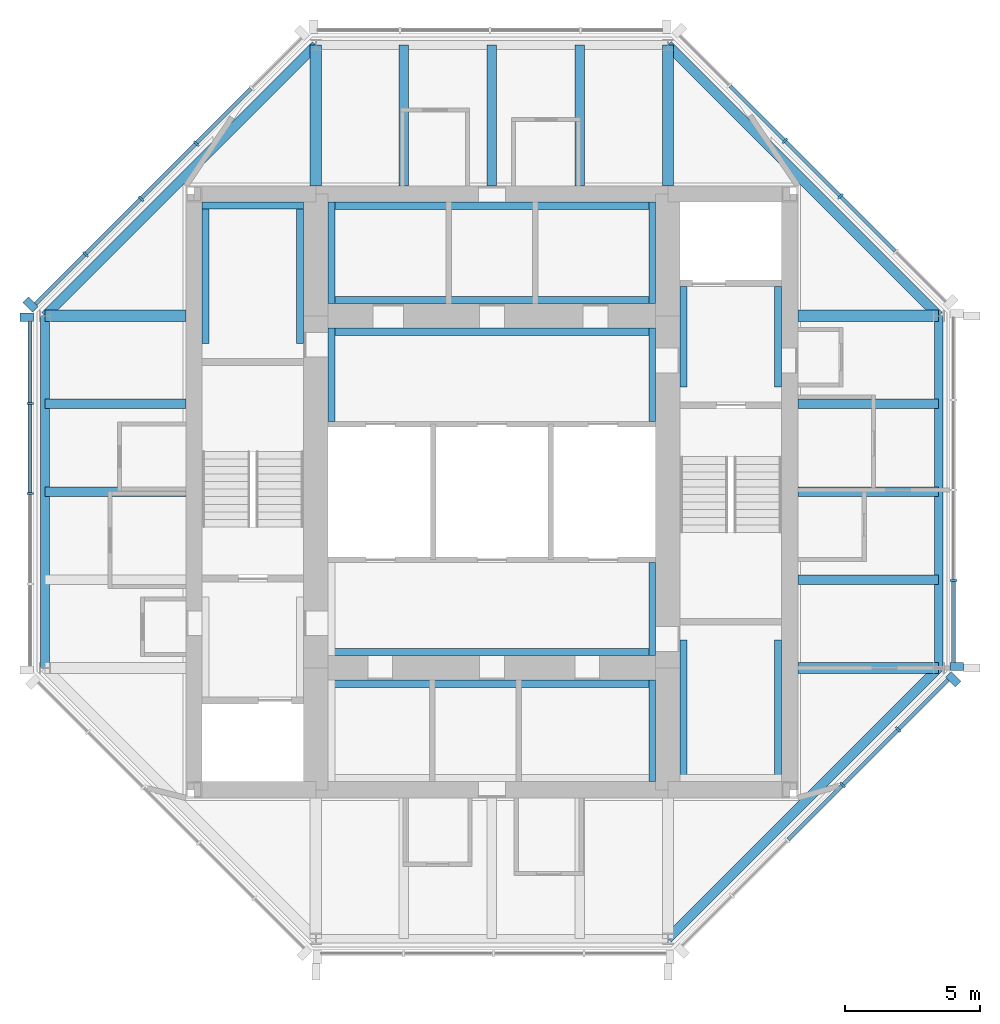
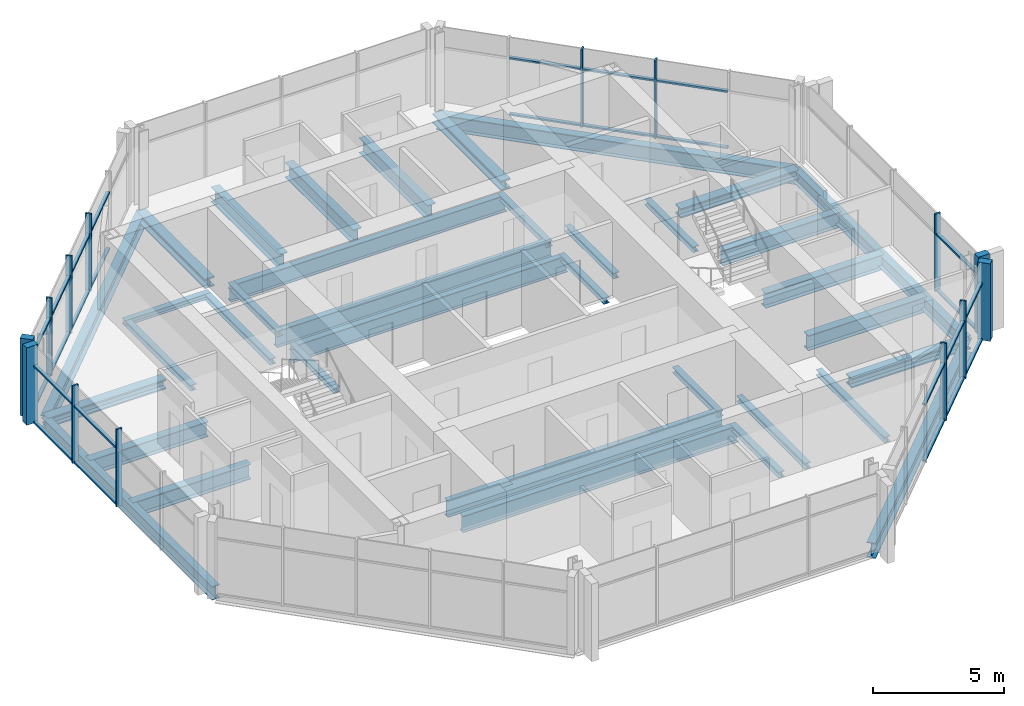
# One storey, part 2 of 8: 40 members, 36 beams, 5 elements without a shape of their own.
"""IFC4 building model written with IfcOpenShell, lengths in metres."""

from ifc_helpers import new_model, si_unit, direction, frame, origin, origin_2d, place, context, subcontext, project, spatial, rectangle, i_section, extrude, material, material_profile, profile_set, type_object, element, aggregate, save


model = new_model("IFC4")

# Units and contexts
model_context = context("Model", 3, precision=1e-05, world=origin(), true_north=direction((0.0, 1.0)))
body_context = subcontext(model_context, "Body", "Model", "MODEL_VIEW")
ifc_project = project(units=[si_unit("LENGTHUNIT", "METRE"), si_unit("AREAUNIT", "SQUARE_METRE"), si_unit("VOLUMEUNIT", "CUBIC_METRE"), si_unit("PLANEANGLEUNIT", "RADIAN"), si_unit("MASSUNIT", "GRAM", prefix="KILO")], contexts=[model_context])

# Site, building, storey
site_placement = place(None, origin())
site = spatial("IfcSite", under=ifc_project, at=site_placement, CompositionType="ELEMENT")
building_placement = place(site_placement, origin())
building = spatial("IfcBuilding", under=site, at=building_placement, Name="Trevanion Tower", CompositionType="ELEMENT")
storey_placement = place(building_placement, frame((0.0, 0.0, 274.0)))
storey = spatial("IfcBuildingStorey", under=building, at=storey_placement, Name="L67", CompositionType="ELEMENT", Elevation=274.0)

# Beams
ifc_material_1 = material(Name="Steel ASTM A992 Grade 50", Category="steel")
ifc_material_profile_1 = material_profile(ifc_material_1, i_section(OverallWidth=0.355712890625, OverallDepth=0.700927734375, WebThickness=0.016845703125, FlangeThickness=0.02734375, at=origin_2d()), Name="W27X161")
ifc_profile_set_1 = profile_set([ifc_material_profile_1], Name="Steel ASTM A992 Grade 50")
beam_type_1 = type_object("IfcBeamType", Name="B15 W27X161", PredefinedType="BEAM", material=ifc_profile_set_1)
for number, where, z_axis, x_axis, name in (
    (1, (11.300048828125, -3.25, -0.54052734375), (1.0, 0.0, 0.0), (0.0, 1.0, 0.0), "B15 L67"),
    (2, (11.300048828125, 0.0, -0.54052734375), (1.0, 0.0, 0.0), (0.0, 1.0, 0.0), "B15 L67"),
    (3, (11.300048828125, 3.25, -0.54052734375), (1.0, 0.0, 0.0), (0.0, 1.0, 0.0), "B15 L67"),
    (4, (3.25, 11.300048828125, -0.54052734375), (0.0, 1.0, 0.0), (-1.0, 0.0, 0.0), "B15 L67"),
    (5, (0.0, 11.300048828125, -0.54052734375), (0.0, 1.0, 0.0), (-1.0, 0.0, 0.0), "B15 L67"),
    (6, (-3.25, 11.300048828125, -0.54052734375), (0.0, 1.0, 0.0), (-1.0, 0.0, 0.0), "B15 L67"),
    (7, (-11.300048828125, 3.25, -0.54052734375), (-1.0, 0.0, 0.0), (0.0, -1.0, 0.0), "B15 L67"),
    (8, (-11.300048828125, 0.0, -0.54052734375), (-1.0, 0.0, 0.0), (0.0, -1.0, 0.0), "B15 L67"),
):
    element("IfcBeam", number, at=place(storey_placement, frame(where, z_axis=z_axis, x_axis=x_axis)), inside=storey, type_object=beam_type_1, Name=name, PredefinedType="BEAM", context=body_context, shape_type="SweptSolid", body=[
        extrude(i_section(OverallWidth=0.355712890625, OverallDepth=0.700927734375, WebThickness=0.016845703125, FlangeThickness=0.02734375, at=origin_2d()), origin(), (0.0, 0.0, 1.0), 5.199951171875),
    ])

# Curtain wall, member
ifc_material_2 = material(Name="Aluminium and glass", Category="aluminium")
curtain_wall_type = type_object("IfcCurtainWallType", Name="CW4 curtain wall", PredefinedType="USERDEFINED", material=ifc_material_2)
curtain_wall_1_placement = place(storey_placement, origin())
curtain_wall_1 = element("IfcCurtainWall", 9, at=curtain_wall_1_placement, inside=storey, type_object=curtain_wall_type, Name="CW4 L67 0", ObjectType="UNITISED CURTAIN WALL", PredefinedType="USERDEFINED")
ifc_material_3 = material(Name="Aluminium extrusion, anodised bronze", Category="aluminium")
ifc_material_profile_2 = material_profile(ifc_material_3, rectangle(XDim=0.074951171875, YDim=0.25, at=origin_2d()), Name="CW4 mullion")
ifc_profile_set_2 = profile_set([ifc_material_profile_2], Name="Aluminium extrusion, anodised bronze")
member_type_1 = type_object("IfcMemberType", Name="CW4 mullion", PredefinedType="MULLION", material=ifc_profile_set_2)
member_1_placement = place(storey_placement, frame((17.050048828125, -3.266357421875, -0.18994140625), z_axis=(0.0, 0.0, 1.0), x_axis=(0.0, 1.0, 0.0)))
member_1 = element("IfcMember", 10, at=member_1_placement, type_object=member_type_1, Name="CW4 mullion 2", PredefinedType="MULLION", context=body_context, shape_type="SweptSolid", body=[
    extrude(rectangle(XDim=0.074951171875, YDim=0.25, at=origin_2d()), origin(), (0.0, 0.0, 1.0), 3.599853515625),
])

# Curtain wall, members
curtain_wall_2_placement = place(storey_placement, origin())
curtain_wall_2 = element("IfcCurtainWall", 11, at=curtain_wall_2_placement, inside=storey, type_object=curtain_wall_type, Name="CW4 L67 1", ObjectType="UNITISED CURTAIN WALL", PredefinedType="USERDEFINED")
member_2_placement = place(storey_placement, frame((12.865966796875, 10.911865234375, -0.18994140625), z_axis=(0.0, 0.0, 1.0), x_axis=(-0.707106781187, 0.707106781187, 0.0)))
member_2 = element("IfcMember", 12, at=member_2_placement, type_object=member_type_1, Name="CW4 mullion 3", PredefinedType="MULLION", context=body_context, shape_type="SweptSolid", body=[
    extrude(rectangle(XDim=0.074951171875, YDim=0.25, at=origin_2d()), origin(), (0.0, 0.0, 1.0), 3.599853515625),
])
member_3_placement = place(storey_placement, frame((10.81982421875, 12.9580078125, -0.18994140625), z_axis=(0.0, 0.0, 1.0), x_axis=(-0.707106781187, 0.707106781187, 0.0)))
member_3 = element("IfcMember", 13, at=member_3_placement, type_object=member_type_1, Name="CW4 mullion 4", PredefinedType="MULLION", context=body_context, shape_type="SweptSolid", body=[
    extrude(rectangle(XDim=0.074951171875, YDim=0.25, at=origin_2d()), origin(), (0.0, 0.0, 1.0), 3.599853515625),
])

curtain_wall_3_placement = place(storey_placement, origin())
curtain_wall_3 = element("IfcCurtainWall", 14, at=curtain_wall_3_placement, inside=storey, type_object=curtain_wall_type, Name="CW4 L67 3", ObjectType="UNITISED CURTAIN WALL", PredefinedType="USERDEFINED")
member_4_placement = place(storey_placement, frame((-10.911865234375, 12.865966796875, -0.18994140625), z_axis=(0.0, 0.0, 1.0), x_axis=(-0.707106781187, -0.707106781187, 0.0)))
member_4 = element("IfcMember", 15, at=member_4_placement, type_object=member_type_1, Name="CW4 mullion 3", PredefinedType="MULLION", context=body_context, shape_type="SweptSolid", body=[
    extrude(rectangle(XDim=0.074951171875, YDim=0.25, at=origin_2d()), origin(), (0.0, 0.0, 1.0), 3.599853515625),
])
member_5_placement = place(storey_placement, frame((-12.9580078125, 10.81982421875, -0.18994140625), z_axis=(0.0, 0.0, 1.0), x_axis=(-0.707106781187, -0.707106781187, 0.0)))
member_5 = element("IfcMember", 16, at=member_5_placement, type_object=member_type_1, Name="CW4 mullion 4", PredefinedType="MULLION", context=body_context, shape_type="SweptSolid", body=[
    extrude(rectangle(XDim=0.074951171875, YDim=0.25, at=origin_2d()), origin(), (0.0, 0.0, 1.0), 3.599853515625),
])
member_6_placement = place(storey_placement, frame((-15.00390625, 8.77392578125, -0.18994140625), z_axis=(0.0, 0.0, 1.0), x_axis=(-0.707106781187, -0.707106781187, 0.0)))
member_6 = element("IfcMember", 17, at=member_6_placement, type_object=member_type_1, Name="CW4 mullion 5", PredefinedType="MULLION", context=body_context, shape_type="SweptSolid", body=[
    extrude(rectangle(XDim=0.074951171875, YDim=0.25, at=origin_2d()), origin(), (0.0, 0.0, 1.0), 3.599853515625),
])

curtain_wall_4_placement = place(storey_placement, origin())
curtain_wall_4 = element("IfcCurtainWall", 18, at=curtain_wall_4_placement, inside=storey, type_object=curtain_wall_type, Name="CW4 L67 4", ObjectType="UNITISED CURTAIN WALL", PredefinedType="USERDEFINED")
member_7_placement = place(storey_placement, frame((-17.050048828125, 3.266357421875, -0.18994140625), z_axis=(0.0, 0.0, 1.0), x_axis=(0.0, -1.0, 0.0)))
member_7 = element("IfcMember", 19, at=member_7_placement, type_object=member_type_1, Name="CW4 mullion 2", PredefinedType="MULLION", context=body_context, shape_type="SweptSolid", body=[
    extrude(rectangle(XDim=0.074951171875, YDim=0.25, at=origin_2d()), origin(), (0.0, 0.0, 1.0), 3.599853515625),
])
member_8_placement = place(storey_placement, frame((-17.050048828125, -0.06494140625, -0.18994140625), z_axis=(0.0, 0.0, 1.0), x_axis=(0.0, -1.0, 0.0)))
member_8 = element("IfcMember", 20, at=member_8_placement, type_object=member_type_1, Name="CW4 mullion 3", PredefinedType="MULLION", context=body_context, shape_type="SweptSolid", body=[
    extrude(rectangle(XDim=0.074951171875, YDim=0.25, at=origin_2d()), origin(), (0.0, 0.0, 1.0), 3.599853515625),
])

curtain_wall_5_placement = place(storey_placement, origin())
curtain_wall_5 = element("IfcCurtainWall", 21, at=curtain_wall_5_placement, inside=storey, type_object=curtain_wall_type, Name="CW4 L67 7", ObjectType="UNITISED CURTAIN WALL", PredefinedType="USERDEFINED")
member_9_placement = place(storey_placement, frame((12.9580078125, -10.81982421875, -0.18994140625), z_axis=(0.0, 0.0, 1.0), x_axis=(0.707106781187, 0.707106781187, 0.0)))
member_9 = element("IfcMember", 22, at=member_9_placement, type_object=member_type_1, Name="CW4 mullion 4", PredefinedType="MULLION", context=body_context, shape_type="SweptSolid", body=[
    extrude(rectangle(XDim=0.074951171875, YDim=0.25, at=origin_2d()), origin(), (0.0, 0.0, 1.0), 3.599853515625),
])
member_10_placement = place(storey_placement, frame((15.00390625, -8.77392578125, -0.18994140625), z_axis=(0.0, 0.0, 1.0), x_axis=(0.707106781187, 0.707106781187, 0.0)))
member_10 = element("IfcMember", 23, at=member_10_placement, type_object=member_type_1, Name="CW4 mullion 5", PredefinedType="MULLION", context=body_context, shape_type="SweptSolid", body=[
    extrude(rectangle(XDim=0.074951171875, YDim=0.25, at=origin_2d()), origin(), (0.0, 0.0, 1.0), 3.599853515625),
])

# Member
ifc_material_4 = material(Name="Aluminium extrusion, anodised bronze", Category="aluminium")
ifc_material_profile_3 = material_profile(ifc_material_4, rectangle(XDim=0.300048828125, YDim=0.5, at=origin_2d()), Name="CW4 pier mullion")
ifc_profile_set_3 = profile_set([ifc_material_profile_3], Name="Aluminium extrusion, anodised bronze")
member_type_2 = type_object("IfcMemberType", Name="CW4 pier mullion", PredefinedType="MULLION", material=ifc_profile_set_3)
member_11_placement = place(storey_placement, frame((17.175048828125, -6.44775390625, -0.18994140625), z_axis=(0.0, 0.0, 1.0), x_axis=(0.0, 1.0, 0.0)))
member_11 = element("IfcMember", 24, at=member_11_placement, type_object=member_type_2, Name="CW4 pier mullion 1", PredefinedType="MULLION", context=body_context, shape_type="SweptSolid", body=[
    extrude(rectangle(XDim=0.300048828125, YDim=0.5, at=origin_2d()), origin(), (0.0, 0.0, 1.0), 3.599853515625),
])

member_12_placement = place(storey_placement, frame((-17.0322265625, 6.92236328125, -0.18994140625), z_axis=(0.0, 0.0, 1.0), x_axis=(-0.707106781187, -0.707106781187, 0.0)))
member_12 = element("IfcMember", 25, at=member_12_placement, type_object=member_type_2, Name="CW4 pier mullion 6", PredefinedType="MULLION", context=body_context, shape_type="SweptSolid", body=[
    extrude(rectangle(XDim=0.300048828125, YDim=0.5, at=origin_2d()), origin(), (0.0, 0.0, 1.0), 3.599853515625),
])

member_13_placement = place(storey_placement, frame((-17.175048828125, 6.44775390625, -0.18994140625), z_axis=(0.0, 0.0, 1.0), x_axis=(0.0, -1.0, 0.0)))
member_13 = element("IfcMember", 26, at=member_13_placement, type_object=member_type_2, Name="CW4 pier mullion 1", PredefinedType="MULLION", context=body_context, shape_type="SweptSolid", body=[
    extrude(rectangle(XDim=0.300048828125, YDim=0.5, at=origin_2d()), origin(), (0.0, 0.0, 1.0), 3.599853515625),
])

member_14_placement = place(storey_placement, frame((17.0322265625, -6.92236328125, -0.18994140625), z_axis=(0.0, 0.0, 1.0), x_axis=(0.707106781187, 0.707106781187, 0.0)))
member_14 = element("IfcMember", 27, at=member_14_placement, type_object=member_type_2, Name="CW4 pier mullion 6", PredefinedType="MULLION", context=body_context, shape_type="SweptSolid", body=[
    extrude(rectangle(XDim=0.300048828125, YDim=0.5, at=origin_2d()), origin(), (0.0, 0.0, 1.0), 3.599853515625),
])

ifc_material_5 = material(Name="Aluminium extrusion, anodised bronze", Category="aluminium")
ifc_material_profile_4 = material_profile(ifc_material_5, rectangle(XDim=0.14990234375, YDim=0.074951171875, at=origin_2d()), Name="CW4 transom")
ifc_profile_set_4 = profile_set([ifc_material_profile_4], Name="Aluminium extrusion, anodised bronze")
member_type_3 = type_object("IfcMemberType", Name="CW4 transom", PredefinedType="USERDEFINED", material=ifc_profile_set_4)
member_15_placement = place(storey_placement, frame((17.050048828125, -6.2978515625, -0.152587890625), z_axis=(0.0, 1.0, 0.0), x_axis=(-1.0, 0.0, 0.0)))
member_15 = element("IfcMember", 28, at=member_15_placement, type_object=member_type_3, Name="CW4 transom 1.1", ObjectType="TRANSOM", PredefinedType="USERDEFINED", context=body_context, shape_type="SweptSolid", body=[
    extrude(rectangle(XDim=0.14990234375, YDim=0.074951171875, at=origin_2d()), origin(), (0.0, 0.0, 1.0), 2.993896484375),
])

member_16_placement = place(storey_placement, frame((17.050048828125, -6.2978515625, 2.4599609375), z_axis=(0.0, 1.0, 0.0), x_axis=(-1.0, 0.0, 0.0)))
member_16 = element("IfcMember", 29, at=member_16_placement, type_object=member_type_3, Name="CW4 transom 1.2", ObjectType="TRANSOM", PredefinedType="USERDEFINED", context=body_context, shape_type="SweptSolid", body=[
    extrude(rectangle(XDim=0.14990234375, YDim=0.074951171875, at=origin_2d()), origin(), (0.0, 0.0, 1.0), 2.993896484375),
])

aggregate(curtain_wall_1, [member_11, member_1, member_15, member_16])

member_17_placement = place(storey_placement, frame((14.885498046875, 8.892333984375, -0.152587890625), z_axis=(-0.707106781187, 0.707106781187, 0.0), x_axis=(-0.707106781187, -0.707106781187, 0.0)))
member_17 = element("IfcMember", 30, at=member_17_placement, type_object=member_type_3, Name="CW4 transom 2.1", ObjectType="TRANSOM", PredefinedType="USERDEFINED", context=body_context, shape_type="SweptSolid", body=[
    extrude(rectangle(XDim=0.14990234375, YDim=0.074951171875, at=origin_2d()), origin(), (0.0, 0.0, 1.0), 2.818359375),
])

member_18_placement = place(storey_placement, frame((14.885498046875, 8.892333984375, 2.4599609375), z_axis=(-0.707106781187, 0.707106781187, 0.0), x_axis=(-0.707106781187, -0.707106781187, 0.0)))
member_18 = element("IfcMember", 31, at=member_18_placement, type_object=member_type_3, Name="CW4 transom 2.2", ObjectType="TRANSOM", PredefinedType="USERDEFINED", context=body_context, shape_type="SweptSolid", body=[
    extrude(rectangle(XDim=0.14990234375, YDim=0.074951171875, at=origin_2d()), origin(), (0.0, 0.0, 1.0), 2.818359375),
])

member_19_placement = place(storey_placement, frame((12.839599609375, 10.9384765625, -0.152587890625), z_axis=(-0.707150088905, 0.707063470815, 0.0), x_axis=(-0.707063470815, -0.707150088905, 0.0)))
member_19 = element("IfcMember", 32, at=member_19_placement, type_object=member_type_3, Name="CW4 transom 3.1", ObjectType="TRANSOM", PredefinedType="USERDEFINED", context=body_context, shape_type="SweptSolid", body=[
    extrude(rectangle(XDim=0.14990234375, YDim=0.074951171875, at=origin_2d()), origin(), (0.0, 0.0, 1.0), 2.818603515625),
])

member_20_placement = place(storey_placement, frame((12.839599609375, 10.9384765625, 2.4599609375), z_axis=(-0.707150088905, 0.707063470815, 0.0), x_axis=(-0.707063470815, -0.707150088905, 0.0)))
member_20 = element("IfcMember", 33, at=member_20_placement, type_object=member_type_3, Name="CW4 transom 3.2", ObjectType="TRANSOM", PredefinedType="USERDEFINED", context=body_context, shape_type="SweptSolid", body=[
    extrude(rectangle(XDim=0.14990234375, YDim=0.074951171875, at=origin_2d()), origin(), (0.0, 0.0, 1.0), 2.818603515625),
])

member_21_placement = place(storey_placement, frame((10.79345703125, 12.984375, -0.152587890625), z_axis=(-0.707150088905, 0.707063470815, 0.0), x_axis=(-0.707063470815, -0.707150088905, 0.0)))
member_21 = element("IfcMember", 34, at=member_21_placement, type_object=member_type_3, Name="CW4 transom 4.1", ObjectType="TRANSOM", PredefinedType="USERDEFINED", context=body_context, shape_type="SweptSolid", body=[
    extrude(rectangle(XDim=0.14990234375, YDim=0.074951171875, at=origin_2d()), origin(), (0.0, 0.0, 1.0), 2.818603515625),
])

member_22_placement = place(storey_placement, frame((10.79345703125, 12.984375, 2.4599609375), z_axis=(-0.707150088905, 0.707063470815, 0.0), x_axis=(-0.707063470815, -0.707150088905, 0.0)))
member_22 = element("IfcMember", 35, at=member_22_placement, type_object=member_type_3, Name="CW4 transom 4.2", ObjectType="TRANSOM", PredefinedType="USERDEFINED", context=body_context, shape_type="SweptSolid", body=[
    extrude(rectangle(XDim=0.14990234375, YDim=0.074951171875, at=origin_2d()), origin(), (0.0, 0.0, 1.0), 2.818603515625),
])

aggregate(curtain_wall_2, [member_2, member_3, member_17, member_18, member_19, member_20, member_21, member_22])

member_23_placement = place(storey_placement, frame((-8.892333984375, 14.885498046875, -0.152587890625), z_axis=(-0.707106781187, -0.707106781187, 0.0), x_axis=(0.707106781187, -0.707106781187, 0.0)))
member_23 = element("IfcMember", 36, at=member_23_placement, type_object=member_type_3, Name="CW4 transom 2.1", ObjectType="TRANSOM", PredefinedType="USERDEFINED", context=body_context, shape_type="SweptSolid", body=[
    extrude(rectangle(XDim=0.14990234375, YDim=0.074951171875, at=origin_2d()), origin(), (0.0, 0.0, 1.0), 2.818359375),
])

member_24_placement = place(storey_placement, frame((-8.892333984375, 14.885498046875, 2.4599609375), z_axis=(-0.707106781187, -0.707106781187, 0.0), x_axis=(0.707106781187, -0.707106781187, 0.0)))
member_24 = element("IfcMember", 37, at=member_24_placement, type_object=member_type_3, Name="CW4 transom 2.2", ObjectType="TRANSOM", PredefinedType="USERDEFINED", context=body_context, shape_type="SweptSolid", body=[
    extrude(rectangle(XDim=0.14990234375, YDim=0.074951171875, at=origin_2d()), origin(), (0.0, 0.0, 1.0), 2.818359375),
])

member_25_placement = place(storey_placement, frame((-10.9384765625, 12.839599609375, -0.152587890625), z_axis=(-0.707063470815, -0.707150088905, 0.0), x_axis=(0.707150088905, -0.707063470815, 0.0)))
member_25 = element("IfcMember", 38, at=member_25_placement, type_object=member_type_3, Name="CW4 transom 3.1", ObjectType="TRANSOM", PredefinedType="USERDEFINED", context=body_context, shape_type="SweptSolid", body=[
    extrude(rectangle(XDim=0.14990234375, YDim=0.074951171875, at=origin_2d()), origin(), (0.0, 0.0, 1.0), 2.818603515625),
])

member_26_placement = place(storey_placement, frame((-10.9384765625, 12.839599609375, 2.4599609375), z_axis=(-0.707063470815, -0.707150088905, 0.0), x_axis=(0.707150088905, -0.707063470815, 0.0)))
member_26 = element("IfcMember", 39, at=member_26_placement, type_object=member_type_3, Name="CW4 transom 3.2", ObjectType="TRANSOM", PredefinedType="USERDEFINED", context=body_context, shape_type="SweptSolid", body=[
    extrude(rectangle(XDim=0.14990234375, YDim=0.074951171875, at=origin_2d()), origin(), (0.0, 0.0, 1.0), 2.818603515625),
])

member_27_placement = place(storey_placement, frame((-12.984375, 10.79345703125, -0.152587890625), z_axis=(-0.707063470815, -0.707150088905, 0.0), x_axis=(0.707150088905, -0.707063470815, 0.0)))
member_27 = element("IfcMember", 40, at=member_27_placement, type_object=member_type_3, Name="CW4 transom 4.1", ObjectType="TRANSOM", PredefinedType="USERDEFINED", context=body_context, shape_type="SweptSolid", body=[
    extrude(rectangle(XDim=0.14990234375, YDim=0.074951171875, at=origin_2d()), origin(), (0.0, 0.0, 1.0), 2.818603515625),
])

member_28_placement = place(storey_placement, frame((-12.984375, 10.79345703125, 2.4599609375), z_axis=(-0.707063470815, -0.707150088905, 0.0), x_axis=(0.707150088905, -0.707063470815, 0.0)))
member_28 = element("IfcMember", 41, at=member_28_placement, type_object=member_type_3, Name="CW4 transom 4.2", ObjectType="TRANSOM", PredefinedType="USERDEFINED", context=body_context, shape_type="SweptSolid", body=[
    extrude(rectangle(XDim=0.14990234375, YDim=0.074951171875, at=origin_2d()), origin(), (0.0, 0.0, 1.0), 2.818603515625),
])

member_29_placement = place(storey_placement, frame((-15.030517578125, 8.747314453125, -0.152587890625), z_axis=(-0.707106781187, -0.707106781187, 0.0), x_axis=(0.707106781187, -0.707106781187, 0.0)))
member_29 = element("IfcMember", 42, at=member_29_placement, type_object=member_type_3, Name="CW4 transom 5.1", ObjectType="TRANSOM", PredefinedType="USERDEFINED", context=body_context, shape_type="SweptSolid", body=[
    extrude(rectangle(XDim=0.14990234375, YDim=0.074951171875, at=origin_2d()), origin(), (0.0, 0.0, 1.0), 2.555908203125),
])

member_30_placement = place(storey_placement, frame((-15.030517578125, 8.747314453125, 2.4599609375), z_axis=(-0.707106781187, -0.707106781187, 0.0), x_axis=(0.707106781187, -0.707106781187, 0.0)))
member_30 = element("IfcMember", 43, at=member_30_placement, type_object=member_type_3, Name="CW4 transom 5.2", ObjectType="TRANSOM", PredefinedType="USERDEFINED", context=body_context, shape_type="SweptSolid", body=[
    extrude(rectangle(XDim=0.14990234375, YDim=0.074951171875, at=origin_2d()), origin(), (0.0, 0.0, 1.0), 2.555908203125),
])

aggregate(curtain_wall_3, [member_4, member_5, member_6, member_12, member_23, member_24, member_25, member_26, member_27, member_28, member_29, member_30])

member_31_placement = place(storey_placement, frame((-17.050048828125, 6.2978515625, -0.152587890625), z_axis=(0.0, -1.0, 0.0), x_axis=(1.0, 0.0, 0.0)))
member_31 = element("IfcMember", 44, at=member_31_placement, type_object=member_type_3, Name="CW4 transom 1.1", ObjectType="TRANSOM", PredefinedType="USERDEFINED", context=body_context, shape_type="SweptSolid", body=[
    extrude(rectangle(XDim=0.14990234375, YDim=0.074951171875, at=origin_2d()), origin(), (0.0, 0.0, 1.0), 2.993896484375),
])

member_32_placement = place(storey_placement, frame((-17.050048828125, 6.2978515625, 2.4599609375), z_axis=(0.0, -1.0, 0.0), x_axis=(1.0, 0.0, 0.0)))
member_32 = element("IfcMember", 45, at=member_32_placement, type_object=member_type_3, Name="CW4 transom 1.2", ObjectType="TRANSOM", PredefinedType="USERDEFINED", context=body_context, shape_type="SweptSolid", body=[
    extrude(rectangle(XDim=0.14990234375, YDim=0.074951171875, at=origin_2d()), origin(), (0.0, 0.0, 1.0), 2.993896484375),
])

member_33_placement = place(storey_placement, frame((-17.050048828125, 3.22900390625, -0.152587890625), z_axis=(0.0, -1.0, 0.0), x_axis=(1.0, 0.0, 0.0)))
member_33 = element("IfcMember", 46, at=member_33_placement, type_object=member_type_3, Name="CW4 transom 2.1", ObjectType="TRANSOM", PredefinedType="USERDEFINED", context=body_context, shape_type="SweptSolid", body=[
    extrude(rectangle(XDim=0.14990234375, YDim=0.074951171875, at=origin_2d()), origin(), (0.0, 0.0, 1.0), 3.256591796875),
])

member_34_placement = place(storey_placement, frame((-17.050048828125, 3.22900390625, 2.4599609375), z_axis=(0.0, -1.0, 0.0), x_axis=(1.0, 0.0, 0.0)))
member_34 = element("IfcMember", 47, at=member_34_placement, type_object=member_type_3, Name="CW4 transom 2.2", ObjectType="TRANSOM", PredefinedType="USERDEFINED", context=body_context, shape_type="SweptSolid", body=[
    extrude(rectangle(XDim=0.14990234375, YDim=0.074951171875, at=origin_2d()), origin(), (0.0, 0.0, 1.0), 3.256591796875),
])

aggregate(curtain_wall_4, [member_13, member_7, member_8, member_31, member_32, member_33, member_34])

member_35_placement = place(storey_placement, frame((10.9384765625, -12.839599609375, -0.152587890625), z_axis=(0.707063470815, 0.707150088905, 0.0), x_axis=(-0.707150088905, 0.707063470815, 0.0)))
member_35 = element("IfcMember", 48, at=member_35_placement, type_object=member_type_3, Name="CW4 transom 3.1", ObjectType="TRANSOM", PredefinedType="USERDEFINED", context=body_context, shape_type="SweptSolid", body=[
    extrude(rectangle(XDim=0.14990234375, YDim=0.074951171875, at=origin_2d()), origin(), (0.0, 0.0, 1.0), 2.818603515625),
])

member_36_placement = place(storey_placement, frame((10.9384765625, -12.839599609375, 2.4599609375), z_axis=(0.707063470815, 0.707150088905, 0.0), x_axis=(-0.707150088905, 0.707063470815, 0.0)))
member_36 = element("IfcMember", 49, at=member_36_placement, type_object=member_type_3, Name="CW4 transom 3.2", ObjectType="TRANSOM", PredefinedType="USERDEFINED", context=body_context, shape_type="SweptSolid", body=[
    extrude(rectangle(XDim=0.14990234375, YDim=0.074951171875, at=origin_2d()), origin(), (0.0, 0.0, 1.0), 2.818603515625),
])

member_37_placement = place(storey_placement, frame((12.984375, -10.79345703125, -0.152587890625), z_axis=(0.707063470815, 0.707150088905, 0.0), x_axis=(-0.707150088905, 0.707063470815, 0.0)))
member_37 = element("IfcMember", 50, at=member_37_placement, type_object=member_type_3, Name="CW4 transom 4.1", ObjectType="TRANSOM", PredefinedType="USERDEFINED", context=body_context, shape_type="SweptSolid", body=[
    extrude(rectangle(XDim=0.14990234375, YDim=0.074951171875, at=origin_2d()), origin(), (0.0, 0.0, 1.0), 2.818603515625),
])

member_38_placement = place(storey_placement, frame((12.984375, -10.79345703125, 2.4599609375), z_axis=(0.707063470815, 0.707150088905, 0.0), x_axis=(-0.707150088905, 0.707063470815, 0.0)))
member_38 = element("IfcMember", 51, at=member_38_placement, type_object=member_type_3, Name="CW4 transom 4.2", ObjectType="TRANSOM", PredefinedType="USERDEFINED", context=body_context, shape_type="SweptSolid", body=[
    extrude(rectangle(XDim=0.14990234375, YDim=0.074951171875, at=origin_2d()), origin(), (0.0, 0.0, 1.0), 2.818603515625),
])

member_39_placement = place(storey_placement, frame((15.030517578125, -8.747314453125, -0.152587890625), z_axis=(0.707106781187, 0.707106781187, 0.0), x_axis=(-0.707106781187, 0.707106781187, 0.0)))
member_39 = element("IfcMember", 52, at=member_39_placement, type_object=member_type_3, Name="CW4 transom 5.1", ObjectType="TRANSOM", PredefinedType="USERDEFINED", context=body_context, shape_type="SweptSolid", body=[
    extrude(rectangle(XDim=0.14990234375, YDim=0.074951171875, at=origin_2d()), origin(), (0.0, 0.0, 1.0), 2.555908203125),
])

member_40_placement = place(storey_placement, frame((15.030517578125, -8.747314453125, 2.4599609375), z_axis=(0.707106781187, 0.707106781187, 0.0), x_axis=(-0.707106781187, 0.707106781187, 0.0)))
member_40 = element("IfcMember", 53, at=member_40_placement, type_object=member_type_3, Name="CW4 transom 5.2", ObjectType="TRANSOM", PredefinedType="USERDEFINED", context=body_context, shape_type="SweptSolid", body=[
    extrude(rectangle(XDim=0.14990234375, YDim=0.074951171875, at=origin_2d()), origin(), (0.0, 0.0, 1.0), 2.555908203125),
])

aggregate(curtain_wall_5, [member_9, member_10, member_14, member_35, member_36, member_37, member_38, member_39, member_40])

# Beams
ifc_material_6 = material(Name="Steel ASTM A992 Grade 50", Category="steel")
ifc_material_profile_5 = material_profile(ifc_material_6, i_section(OverallWidth=0.41650390625, OverallDepth=0.444580078125, WebThickness=0.0390625, FlangeThickness=0.062744140625, at=origin_2d()), Name="W14X342")
ifc_profile_set_5 = profile_set([ifc_material_profile_5], Name="Steel ASTM A992 Grade 50")
beam_type_2 = type_object("IfcBeamType", Name="G8 W14X342", PredefinedType="BEAM", material=ifc_profile_set_5)
for number, where, z_axis, x_axis, name in (
    (54, (11.300048828125, -6.5, -0.412109375), (1.0, 0.0, 0.0), (0.0, 1.0, 0.0), "G8 L67"),
    (55, (11.300048828125, 6.5, -0.412109375), (1.0, 0.0, 0.0), (0.0, 1.0, 0.0), "G8 L67"),
    (56, (6.5, 11.300048828125, -0.412109375), (0.0, 1.0, 0.0), (-1.0, 0.0, 0.0), "G8 L67"),
    (57, (-6.5, 11.300048828125, -0.412109375), (0.0, 1.0, 0.0), (-1.0, 0.0, 0.0), "G8 L67"),
    (58, (-11.300048828125, 6.5, -0.412109375), (-1.0, 0.0, 0.0), (0.0, -1.0, 0.0), "G8 L67"),
):
    element("IfcBeam", number, at=place(storey_placement, frame(where, z_axis=z_axis, x_axis=x_axis)), inside=storey, type_object=beam_type_2, Name=name, PredefinedType="BEAM", context=body_context, shape_type="SweptSolid", body=[
        extrude(i_section(OverallWidth=0.41650390625, OverallDepth=0.444580078125, WebThickness=0.0390625, FlangeThickness=0.062744140625, at=origin_2d()), origin(), (0.0, 0.0, 1.0), 5.199951171875),
    ])
ifc_material_7 = material(Name="Steel ASTM A992 Grade 50", Category="steel")
ifc_material_profile_6 = material_profile(ifc_material_7, i_section(OverallWidth=0.256591796875, OverallDepth=0.26416015625, WebThickness=0.011962890625, FlangeThickness=0.01953125, at=origin_2d()), Name="W10X68")
ifc_profile_set_6 = profile_set([ifc_material_profile_6], Name="Steel ASTM A992 Grade 50")
beam_type_3 = type_object("IfcBeamType", Name="LB1 W10X68", PredefinedType="BEAM", material=ifc_profile_set_6)
for number, where, z_axis, x_axis, name in (
    (59, (-5.921630859375, 2.60009765625, -0.33203125), (0.0, 1.0, 0.0), (-1.0, 0.0, 0.0), "LB1 L67"),
    (60, (5.921630859375, 2.60009765625, -0.33203125), (0.0, 1.0, 0.0), (-1.0, 0.0, 0.0), "LB1 L67"),
    (61, (5.921630859375, -6.050048828125, -0.33203125), (0.0, 1.0, 0.0), (-1.0, 0.0, 0.0), "LB1 L67"),
):
    element("IfcBeam", number, at=place(storey_placement, frame(where, z_axis=z_axis, x_axis=x_axis)), inside=storey, type_object=beam_type_3, Name=name, PredefinedType="BEAM", context=body_context, shape_type="SweptSolid", body=[
        extrude(i_section(OverallWidth=0.256591796875, OverallDepth=0.26416015625, WebThickness=0.011962890625, FlangeThickness=0.01953125, at=origin_2d()), origin(), (0.0, 0.0, 1.0), 3.449951171875),
    ])
for number, where, z_axis, x_axis, name in (
    (62, (7.078369140625, 3.875, -0.33203125), (0.0, 1.0, 0.0), (-1.0, 0.0, 0.0), "LB1 L67"),
    (63, (10.57177734375, 3.875, -0.33203125), (0.0, 1.0, 0.0), (-1.0, 0.0, 0.0), "LB1 L67"),
):
    element("IfcBeam", number, at=place(storey_placement, frame(where, z_axis=z_axis, x_axis=x_axis)), inside=storey, type_object=beam_type_3, Name=name, PredefinedType="BEAM", context=body_context, shape_type="SweptSolid", body=[
        extrude(i_section(OverallWidth=0.256591796875, OverallDepth=0.26416015625, WebThickness=0.011962890625, FlangeThickness=0.01953125, at=origin_2d()), origin(), (0.0, 0.0, 1.0), 3.699951171875),
    ])
for number, where, z_axis, x_axis, name in (
    (64, (7.078369140625, -10.699951171875, -0.33203125), (0.0, 1.0, 0.0), (-1.0, 0.0, 0.0), "LB1 L67"),
    (65, (10.57177734375, -10.699951171875, -0.33203125), (0.0, 1.0, 0.0), (-1.0, 0.0, 0.0), "LB1 L67"),
    (66, (-10.57177734375, 5.47509765625, -0.33203125), (0.0, 1.0, 0.0), (-1.0, 0.0, 0.0), "LB1 L67"),
    (67, (-7.078369140625, 5.47509765625, -0.33203125), (0.0, 1.0, 0.0), (-1.0, 0.0, 0.0), "LB1 L67"),
):
    element("IfcBeam", number, at=place(storey_placement, frame(where, z_axis=z_axis, x_axis=x_axis)), inside=storey, type_object=beam_type_3, Name=name, PredefinedType="BEAM", context=body_context, shape_type="SweptSolid", body=[
        extrude(i_section(OverallWidth=0.256591796875, OverallDepth=0.26416015625, WebThickness=0.011962890625, FlangeThickness=0.01953125, at=origin_2d()), origin(), (0.0, 0.0, 1.0), 5.224853515625),
    ])
for number, where, z_axis, x_axis, name in (
    (68, (-10.699951171875, 10.57177734375, -0.33203125), (1.0, 0.0, 0.0), (0.0, 1.0, 0.0), "LB1 L67"),
    (69, (-5.921630859375, 6.949951171875, -0.33203125), (0.0, 1.0, 0.0), (-1.0, 0.0, 0.0), "LB1 L67"),
    (70, (5.921630859375, 6.949951171875, -0.33203125), (0.0, 1.0, 0.0), (-1.0, 0.0, 0.0), "LB1 L67"),
    (71, (5.921630859375, -10.699951171875, -0.33203125), (0.0, 1.0, 0.0), (-1.0, 0.0, 0.0), "LB1 L67"),
):
    element("IfcBeam", number, at=place(storey_placement, frame(where, z_axis=z_axis, x_axis=x_axis)), inside=storey, type_object=beam_type_3, Name=name, PredefinedType="BEAM", context=body_context, shape_type="SweptSolid", body=[
        extrude(i_section(OverallWidth=0.256591796875, OverallDepth=0.26416015625, WebThickness=0.011962890625, FlangeThickness=0.01953125, at=origin_2d()), origin(), (0.0, 0.0, 1.0), 3.75),
    ])
ifc_material_8 = material(Name="Steel ASTM A992 Grade 50", Category="steel")
ifc_material_profile_7 = material_profile(ifc_material_8, i_section(OverallWidth=0.2666015625, OverallDepth=0.76953125, WebThickness=0.015625, FlangeThickness=0.025390625, at=origin_2d()), Name="W30X132")
ifc_profile_set_7 = profile_set([ifc_material_profile_7], Name="Steel ASTM A992 Grade 50")
beam_type_4 = type_object("IfcBeamType", Name="LB3 W30X132", PredefinedType="BEAM", material=ifc_profile_set_7)
for number, where, z_axis, x_axis, name in (
    (72, (-6.050048828125, 5.91650390625, -0.584716796875), (1.0, 0.0, 0.0), (0.0, 1.0, 0.0), "LB3 L67"),
    (73, (-6.050048828125, -5.91650390625, -0.584716796875), (1.0, 0.0, 0.0), (0.0, 1.0, 0.0), "LB3 L67"),
    (74, (-6.050048828125, 7.08349609375, -0.584716796875), (1.0, 0.0, 0.0), (0.0, 1.0, 0.0), "LB3 L67"),
    (75, (-6.050048828125, 10.566650390625, -0.584716796875), (1.0, 0.0, 0.0), (0.0, 1.0, 0.0), "LB3 L67"),
    (76, (-6.050048828125, -7.08349609375, -0.584716796875), (1.0, 0.0, 0.0), (0.0, 1.0, 0.0), "LB3 L67"),
):
    element("IfcBeam", number, at=place(storey_placement, frame(where, z_axis=z_axis, x_axis=x_axis)), inside=storey, type_object=beam_type_4, Name=name, PredefinedType="BEAM", context=body_context, shape_type="SweptSolid", body=[
        extrude(i_section(OverallWidth=0.2666015625, OverallDepth=0.76953125, WebThickness=0.015625, FlangeThickness=0.025390625, at=origin_2d()), origin(), (0.0, 0.0, 1.0), 12.10009765625),
    ])
ifc_material_9 = material(Name="Steel ASTM A992 Grade 50", Category="steel")
ifc_material_profile_8 = material_profile(ifc_material_9, i_section(OverallWidth=0.32763671875, OverallDepth=0.622314453125, WebThickness=0.015380859375, FlangeThickness=0.0244140625, at=origin_2d()), Name="W24X131")
ifc_profile_set_8 = profile_set([ifc_material_profile_8], Name="Steel ASTM A992 Grade 50")
beam_type_5 = type_object("IfcBeamType", Name="SB12 W24X131", PredefinedType="SPANDREL", material=ifc_profile_set_8)
for number, where, z_axis, x_axis, name in (
    (77, (16.5, -6.5, -0.501220703125), (0.0, 1.0, 0.0), (-1.0, 0.0, 0.0), "SB12 L67"),
    (78, (-16.5, 6.5, -0.501220703125), (0.0, -1.0, 0.0), (1.0, 0.0, 0.0), "SB12 L67"),
):
    element("IfcBeam", number, at=place(storey_placement, frame(where, z_axis=z_axis, x_axis=x_axis)), inside=storey, type_object=beam_type_5, Name=name, PredefinedType="SPANDREL", context=body_context, shape_type="SweptSolid", body=[
        extrude(i_section(OverallWidth=0.32763671875, OverallDepth=0.622314453125, WebThickness=0.015380859375, FlangeThickness=0.0244140625, at=origin_2d()), origin(), (0.0, 0.0, 1.0), 13.0),
    ])
ifc_material_10 = material(Name="Steel ASTM A992 Grade 50", Category="steel")
ifc_material_profile_9 = material_profile(ifc_material_10, i_section(OverallWidth=0.358154296875, OverallDepth=0.7060546875, WebThickness=0.018310546875, FlangeThickness=0.0302734375, at=origin_2d()), Name="W27X178")
ifc_profile_set_9 = profile_set([ifc_material_profile_9], Name="Steel ASTM A992 Grade 50")
beam_type_6 = type_object("IfcBeamType", Name="SB13 W27X178", PredefinedType="SPANDREL", material=ifc_profile_set_9)
for number, where, z_axis, x_axis, name in (
    (79, (16.5, 6.5, -0.543212890625), (-0.707106781187, 0.707106781187, 0.0), (-0.707106781187, -0.707106781187, 0.0), "SB13 L67"),
    (80, (-6.5, 16.5, -0.543212890625), (-0.707106781187, -0.707106781187, 0.0), (0.707106781187, -0.707106781187, 0.0), "SB13 L67"),
    (81, (6.5, -16.5, -0.543212890625), (0.707106781187, 0.707106781187, 0.0), (-0.707106781187, 0.707106781187, 0.0), "SB13 L67"),
):
    element("IfcBeam", number, at=place(storey_placement, frame(where, z_axis=z_axis, x_axis=x_axis)), inside=storey, type_object=beam_type_6, Name=name, PredefinedType="SPANDREL", context=body_context, shape_type="SweptSolid", body=[
        extrude(i_section(OverallWidth=0.358154296875, OverallDepth=0.7060546875, WebThickness=0.018310546875, FlangeThickness=0.0302734375, at=origin_2d()), origin(), (0.0, 0.0, 1.0), 14.14208984375),
    ])

save(model, "model.ifc")
